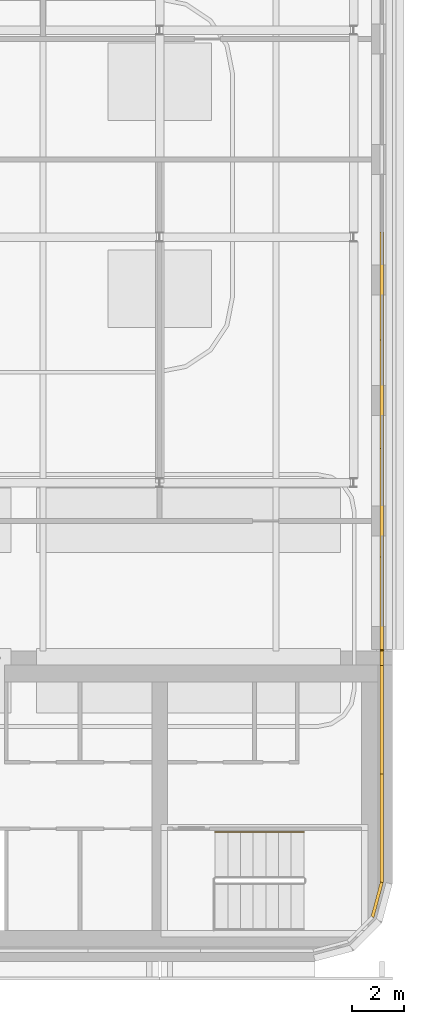
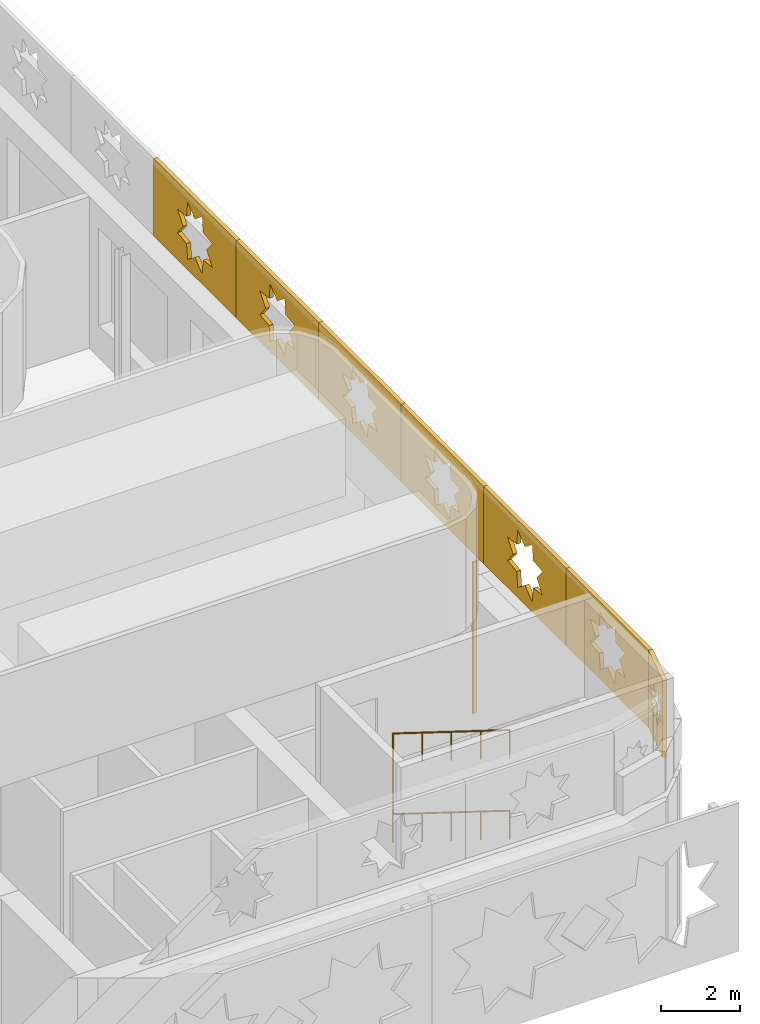
# One storey, part 12 of 14: 8 coverings, 1 railing.
"""IFC4 building model written with IfcOpenShell, lengths in metres."""

from ifc_helpers import new_model, si_unit, direction, frame, origin, origin_2d, place, context, subcontext, project, spatial, polyline, rectangle, circle, outline, extrude, material, layer, layer_set, type_object, element, save


model = new_model("IFC4")

# Units and contexts
model_context = context("Model", 3, precision=1e-05, world=origin(), true_north=direction((0.0, 1.0)))
body_context = subcontext(model_context, "Body", "Model", "MODEL_VIEW")
ifc_project = project(units=[si_unit("LENGTHUNIT", "METRE"), si_unit("AREAUNIT", "SQUARE_METRE"), si_unit("VOLUMEUNIT", "CUBIC_METRE"), si_unit("PLANEANGLEUNIT", "RADIAN"), si_unit("MASSUNIT", "GRAM", prefix="KILO")], contexts=[model_context])

# Site, building, storey
site_placement = place(None, origin())
site = spatial("IfcSite", under=ifc_project, at=site_placement, CompositionType="ELEMENT")
building_placement = place(site_placement, origin())
building = spatial("IfcBuilding", under=site, at=building_placement, Name="Zellij Exchange Tower", CompositionType="ELEMENT")
storey_placement = place(building_placement, frame((0.0, 0.0, 305.5)))
storey = spatial("IfcBuildingStorey", under=building, at=storey_placement, Name="L71", CompositionType="ELEMENT", Elevation=305.5)

# Railing
ifc_material_1 = material(Name="Stainless steel", Category="steel")
railing_type = type_object("IfcRailingType", Name="CORE-RH stair handrail", PredefinedType="HANDRAIL", material=ifc_material_1)
railing_placement = place(storey_placement, frame((23.580078125, -9.0, 1.40625)))
element("IfcRailing", 1, at=railing_placement, inside=storey, type_object=railing_type, Name="ST4 stair handrail L71", PredefinedType="HANDRAIL", context=body_context, shape_type="SweptSolid", body=[
    extrude(circle(Radius=0.02392578125, at=origin_2d()), frame((0.0, 0.0, 0.8759765625), z_axis=(-0.952738578955, 0.0, 0.303791376065), x_axis=(0.0, -1.0, 0.0)), (0.0, 0.0, 1.0), 3.600341796875),
    extrude(circle(Radius=0.02392578125, at=origin_2d()), frame((-3.43017578125, 0.0, 1.9697265625), z_axis=(0.0, 0.0, 1.0), x_axis=(1.0, 0.0, 0.0)), (0.0, 0.0, 1.0), 2.5),
    extrude(circle(Radius=0.02392578125, at=origin_2d()), frame((-3.43017578125, 0.0, 4.4697265625), z_axis=(0.952738578955, 0.0, -0.303791376065), x_axis=(0.0, 1.0, 0.0)), (0.0, 0.0, 1.0), 3.600341796875),
    extrude(circle(Radius=0.02099609375, at=origin_2d()), origin(), (0.0, 0.0, 1.0), 0.851806640625),
    extrude(circle(Radius=0.02099609375, at=origin_2d()), frame((-0.857421875, 0.0, 0.2734375)), (0.0, 0.0, 1.0), 0.851806640625),
    extrude(circle(Radius=0.02099609375, at=origin_2d()), frame((-1.715087890625, 0.0, 0.546875)), (0.0, 0.0, 1.0), 0.851806640625),
    extrude(circle(Radius=0.02099609375, at=origin_2d()), frame((-2.57275390625, 0.0, 0.8203125)), (0.0, 0.0, 1.0), 0.851806640625),
    extrude(circle(Radius=0.02099609375, at=origin_2d()), frame((-3.43017578125, 0.0, 1.09375)), (0.0, 0.0, 1.0), 0.851806640625),
    extrude(circle(Radius=0.02099609375, at=origin_2d()), frame((-3.43017578125, 0.0, 1.927001953125)), (0.0, 0.0, 1.0), 0.851806640625),
    extrude(circle(Radius=0.02099609375, at=origin_2d()), frame((-3.43017578125, 0.0, 2.760498046875)), (0.0, 0.0, 1.0), 0.851806640625),
    extrude(circle(Radius=0.02099609375, at=origin_2d()), frame((-3.43017578125, 0.0, 3.59375)), (0.0, 0.0, 1.0), 0.851806640625),
    extrude(circle(Radius=0.02099609375, at=origin_2d()), frame((-2.57275390625, 0.0, 3.3203125)), (0.0, 0.0, 1.0), 0.851806640625),
    extrude(circle(Radius=0.02099609375, at=origin_2d()), frame((-1.715087890625, 0.0, 3.046875)), (0.0, 0.0, 1.0), 0.851806640625),
    extrude(circle(Radius=0.02099609375, at=origin_2d()), frame((-0.857421875, 0.0, 2.7734375)), (0.0, 0.0, 1.0), 0.851806640625),
    extrude(circle(Radius=0.02099609375, at=origin_2d()), frame((0.0, 0.0, 2.5)), (0.0, 0.0, 1.0), 0.851806640625),
])

# Coverings
ifc_material_2 = material(Name="Limestone cladding", Category="masonry")
ifc_layer_1 = layer(ifc_material_2, 0.1201171875)
ifc_layer_set_1 = layer_set([ifc_layer_1], Name="Limestone cladding")
covering_type_1 = type_object("IfcCoveringType", Name="ENV-CV18 Glazing closer 120", PredefinedType="CLADDING", material=ifc_layer_set_1)
covering_1_placement = place(storey_placement, frame((26.60009765625, -1.97509765625, 0.0), z_axis=(0.0, 0.0, 1.0), x_axis=(0.0, -1.0, 0.0)))
element("IfcCovering", 2, at=covering_1_placement, inside=storey, type_object=covering_type_1, Name="Glazing closer", PredefinedType="CLADDING", context=body_context, shape_type="SweptSolid", body=[
    extrude(rectangle(XDim=0.050048828125, YDim=0.1201171875, at=origin_2d()), origin(), (0.0, 0.0, 1.0), 4.699951171875),
])
ifc_material_3 = material(Name="Limestone screen", Category="masonry")
ifc_layer_2 = layer(ifc_material_3, 0.1201171875)
ifc_layer_set_2 = layer_set([ifc_layer_2], Name="Limestone screen")
covering_type_2 = type_object("IfcCoveringType", Name="ENV-SC1 Pierced stone screen 120", PredefinedType="USERDEFINED", material=ifc_layer_set_2)
for number, where, z_axis, x_axis, name in (
    (3, (26.590087890625, 14.20556640625, 5.0), (0.0, 0.0, 1.0), (0.0, -1.0, 0.0), "Pierced stone screen"),
    (4, (26.590087890625, 10.013671875, 5.0), (0.0, 0.0, 1.0), (0.0, -1.0, 0.0), "Pierced stone screen"),
    (5, (26.590087890625, 5.821533203125, 5.0), (0.0, 0.0, 1.0), (0.0, -1.0, 0.0), "Pierced stone screen"),
    (6, (26.590087890625, 1.629638671875, 5.0), (0.0, 0.0, 1.0), (0.0, -1.0, 0.0), "Pierced stone screen"),
    (7, (26.590087890625, -2.562255859375, 5.0), (0.0, 0.0, 1.0), (0.0, -1.0, 0.0), "Pierced stone screen"),
    (8, (26.590087890625, -6.754150390625, 5.0), (0.0, 0.0, 1.0), (0.0, -1.0, 0.0), "Pierced stone screen"),
):
    element("IfcCovering", number, at=place(storey_placement, frame(where, z_axis=z_axis, x_axis=x_axis)), inside=storey, type_object=covering_type_2, Name=name, ObjectType="SCREEN", PredefinedType="USERDEFINED", context=body_context, shape_type="SweptSolid", body=[
        extrude(outline(polyline([(0.0, 0.0), (4.19189453125, 0.0), (4.19189453125, 2.39990234375), (0.0, 2.39990234375), (0.0, 0.0)]), holes=[polyline([(2.98291015625, 1.5673828125), (2.516845703125, 1.620849609375), (2.46337890625, 2.0869140625), (2.095947265625, 1.795166015625), (1.728515625, 2.0869140625), (1.675048828125, 1.620849609375), (1.208984375, 1.5673828125), (1.500732421875, 1.199951171875), (1.208984375, 0.83251953125), (1.675048828125, 0.779052734375), (1.728515625, 0.31298828125), (2.095947265625, 0.604736328125), (2.46337890625, 0.31298828125), (2.516845703125, 0.779052734375), (2.98291015625, 0.83251953125), (2.691162109375, 1.199951171875), (2.98291015625, 1.5673828125)])]), frame((0.0, 0.06005859375, 0.0), z_axis=(0.0, -1.0, 0.0), x_axis=(1.0, 0.0, 0.0)), (0.0, 0.0, 1.0), 0.1201171875),
    ])
covering_2_placement = place(storey_placement, frame((26.590087890625, -10.946044921875, 5.0), z_axis=(0.0, 0.0, 1.0), x_axis=(-0.258876638963, -0.96591039222, 0.0)))
element("IfcCovering", 9, at=covering_2_placement, inside=storey, type_object=covering_type_2, Name="Pierced stone screen", ObjectType="SCREEN", PredefinedType="USERDEFINED", context=body_context, shape_type="SweptSolid", body=[
    extrude(outline(polyline([(0.0, 0.0), (1.38916015625, 0.0), (1.38916015625, 2.39990234375), (0.0, 2.39990234375), (0.0, 0.0)]), holes=[polyline([(1.2080078125, 1.41259765625), (0.93798828125, 1.443603515625), (0.9072265625, 1.71337890625), (0.694580078125, 1.54443359375), (0.48193359375, 1.71337890625), (0.450927734375, 1.443603515625), (0.18115234375, 1.41259765625), (0.35009765625, 1.199951171875), (0.18115234375, 0.9873046875), (0.450927734375, 0.956298828125), (0.48193359375, 0.686767578125), (0.694580078125, 0.85546875), (0.9072265625, 0.686767578125), (0.93798828125, 0.956298828125), (1.2080078125, 0.9873046875), (1.0390625, 1.199951171875), (1.2080078125, 1.41259765625)])]), frame((0.0, 0.06005859375, 0.0), z_axis=(0.0, -1.0, 0.0), x_axis=(1.0, 0.0, 0.0)), (0.0, 0.0, 1.0), 0.1201171875),
])

save(model, "model.ifc")
